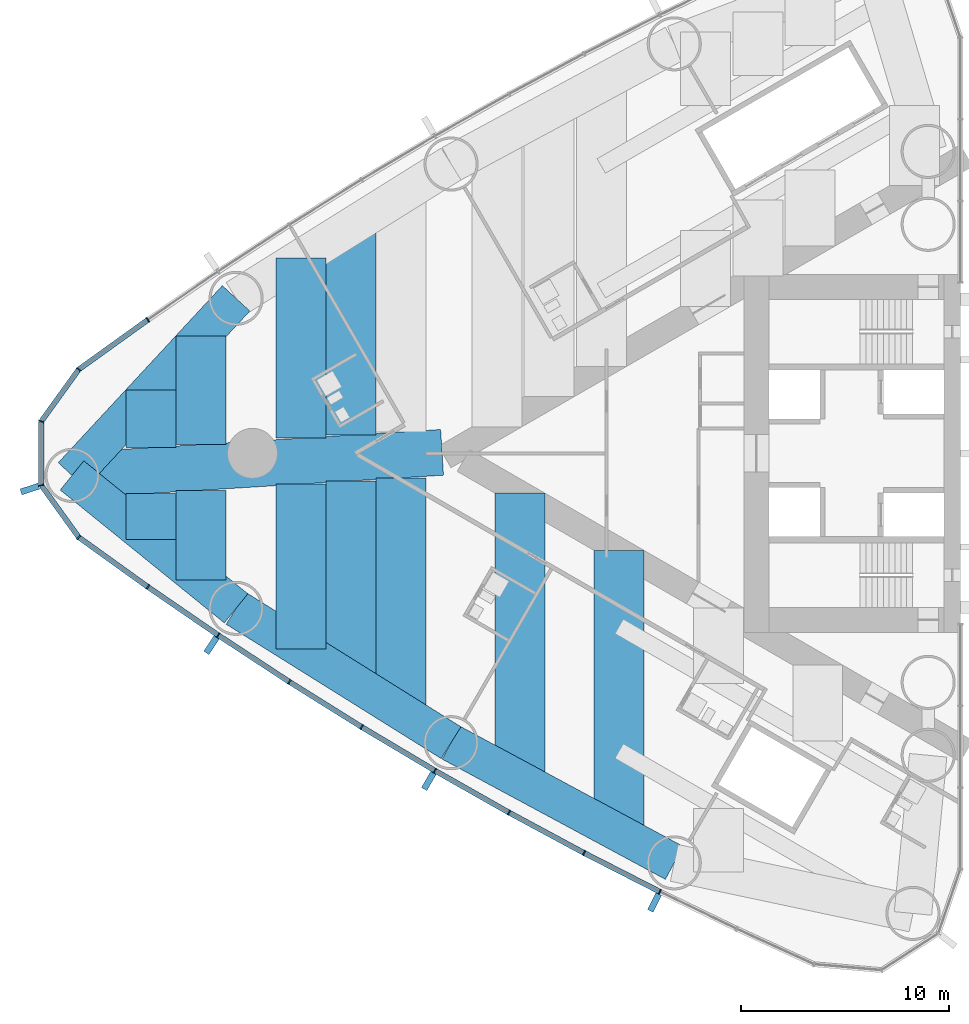
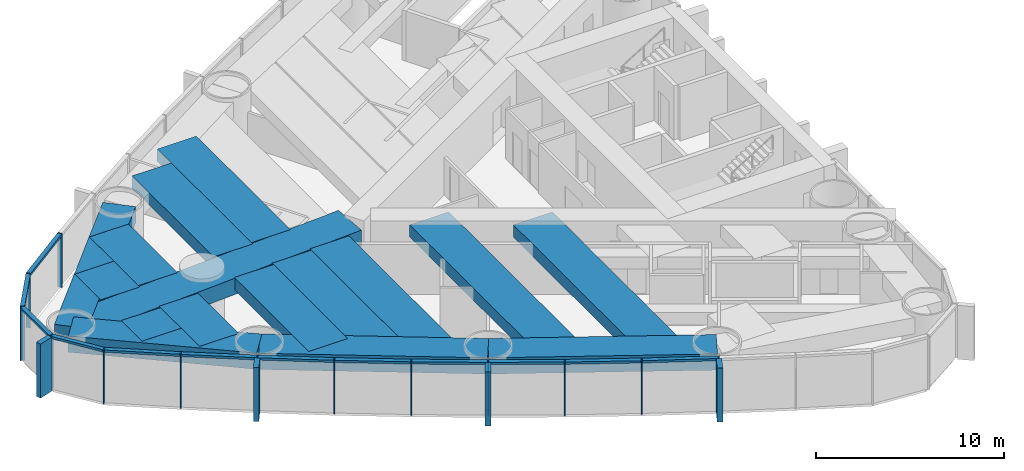
# One storey, part 2 of 18: 29 members, 16 beams, 1 element without a shape of its own.
"""IFC4 building model written with IfcOpenShell, lengths in metres."""

from ifc_helpers import new_model, si_unit, direction, frame, origin, origin_2d, place, context, subcontext, project, spatial, rectangle, extrude, material, material_profile, profile_set, type_object, element, aggregate, save


model = new_model("IFC4")

# Units and contexts
model_context = context("Model", 3, precision=1e-05, world=origin(), true_north=direction((0.0, 1.0)))
body_context = subcontext(model_context, "Body", "Model", "MODEL_VIEW")
ifc_project = project(units=[si_unit("LENGTHUNIT", "METRE"), si_unit("AREAUNIT", "SQUARE_METRE"), si_unit("VOLUMEUNIT", "CUBIC_METRE"), si_unit("PLANEANGLEUNIT", "RADIAN"), si_unit("MASSUNIT", "GRAM", prefix="KILO")], contexts=[model_context])

# Site, building, storey
site_placement = place(None, origin())
site = spatial("IfcSite", under=ifc_project, at=site_placement, CompositionType="ELEMENT")
building_placement = place(site_placement, origin())
building = spatial("IfcBuilding", under=site, at=building_placement, Name="Lancet Gate Hotel", CompositionType="ELEMENT")
storey_placement = place(building_placement, frame((0.0, 0.0, 129.10009765625)))
storey = spatial("IfcBuildingStorey", under=building, at=storey_placement, Name="L34", CompositionType="ELEMENT", Elevation=129.10009765625)

# Curtain wall, members
ifc_material_1 = material(Name="Aluminium curtain wall", Category="aluminium")
curtain_wall_type = type_object("IfcCurtainWallType", Name="Tower unitised curtain wall", PredefinedType="USERDEFINED", material=ifc_material_1)
curtain_wall_placement = place(storey_placement, origin())
curtain_wall = element("IfcCurtainWall", 1, at=curtain_wall_placement, inside=storey, type_object=curtain_wall_type, Name="T1 L34 curtain wall 1", ObjectType="UNITISED CURTAIN WALL", PredefinedType="USERDEFINED")
ifc_material_2 = material(Name="Aluminium mullion", Category="aluminium")
ifc_material_profile_1 = material_profile(ifc_material_2, rectangle(XDim=0.06494140625, YDim=0.25, at=origin_2d()), Name="MULLION 65x250")
ifc_profile_set_1 = profile_set([ifc_material_profile_1], Name="Aluminium mullion")
member_type_1 = type_object("IfcMemberType", Name="Aluminium mullion 65x250", PredefinedType="MULLION", material=ifc_profile_set_1)
member_1_placement = place(storey_placement, frame((-66.5234375, 6.41650390625, 0.0), z_axis=(0.0, 0.0, 1.0), x_axis=(-0.818327221681, -0.574752606132, 0.0)))
member_1 = element("IfcMember", 2, at=member_1_placement, type_object=member_type_1, Name="T1 L34 curtain wall 1 mullion 16", PredefinedType="MULLION", context=body_context, shape_type="SweptSolid", body=[
    extrude(rectangle(XDim=0.06494140625, YDim=0.25, at=origin_2d()), origin(), (0.0, 0.0, 1.0), 3.5),
])
member_2_placement = place(storey_placement, frame((-69.84619140625, 4.02880859375, 0.0), z_axis=(0.0, 0.0, 1.0), x_axis=(-0.723846229576, -0.6899613293, 0.0)))
member_2 = element("IfcMember", 3, at=member_2_placement, type_object=member_type_1, Name="T1 L34 curtain wall 1 mullion 17", PredefinedType="MULLION", context=body_context, shape_type="SweptSolid", body=[
    extrude(rectangle(XDim=0.06494140625, YDim=0.25, at=origin_2d()), origin(), (0.0, 0.0, 1.0), 3.5),
])
member_3_placement = place(storey_placement, frame((-71.64306640625, 1.536376953125, 0.0), z_axis=(0.0, 0.0, 1.0), x_axis=(-0.307269196735, -0.95162263568, 0.0)))
member_3 = element("IfcMember", 4, at=member_3_placement, type_object=member_type_1, Name="T1 L34 curtain wall 1 mullion 18", PredefinedType="MULLION", context=body_context, shape_type="SweptSolid", body=[
    extrude(rectangle(XDim=0.06494140625, YDim=0.25, at=origin_2d()), origin(), (0.0, 0.0, 1.0), 3.5),
])
member_4_placement = place(storey_placement, frame((-71.64306640625, -1.536376953125, 0.0), z_axis=(0.0, 0.0, 1.0), x_axis=(0.307269196735, -0.95162263568, 0.0)))
member_4 = element("IfcMember", 5, at=member_4_placement, type_object=member_type_1, Name="T1 L34 curtain wall 1 mullion 19", PredefinedType="MULLION", context=body_context, shape_type="SweptSolid", body=[
    extrude(rectangle(XDim=0.06494140625, YDim=0.25, at=origin_2d()), origin(), (0.0, 0.0, 1.0), 3.5),
])
member_5_placement = place(storey_placement, frame((-69.84619140625, -4.02880859375, 0.0), z_axis=(0.0, 0.0, 1.0), x_axis=(0.723846229576, -0.6899613293, 0.0)))
member_5 = element("IfcMember", 6, at=member_5_placement, type_object=member_type_1, Name="T1 L34 curtain wall 1 mullion 20", PredefinedType="MULLION", context=body_context, shape_type="SweptSolid", body=[
    extrude(rectangle(XDim=0.06494140625, YDim=0.25, at=origin_2d()), origin(), (0.0, 0.0, 1.0), 3.5),
])
member_6_placement = place(storey_placement, frame((-66.5234375, -6.41650390625, 0.0), z_axis=(0.0, 0.0, 1.0), x_axis=(0.818327221681, -0.574752606132, 0.0)))
member_6 = element("IfcMember", 7, at=member_6_placement, type_object=member_type_1, Name="T1 L34 curtain wall 1 mullion 21", PredefinedType="MULLION", context=body_context, shape_type="SweptSolid", body=[
    extrude(rectangle(XDim=0.06494140625, YDim=0.25, at=origin_2d()), origin(), (0.0, 0.0, 1.0), 3.5),
])
member_7_placement = place(storey_placement, frame((-63.14990234375, -8.73193359375, 0.0), z_axis=(0.0, 0.0, 1.0), x_axis=(0.830510096234, -0.557003572747, 0.0)))
member_7 = element("IfcMember", 8, at=member_7_placement, type_object=member_type_1, Name="T1 L34 curtain wall 1 mullion 22", PredefinedType="MULLION", context=body_context, shape_type="SweptSolid", body=[
    extrude(rectangle(XDim=0.06494140625, YDim=0.25, at=origin_2d()), origin(), (0.0, 0.0, 1.0), 3.5),
])
member_8_placement = place(storey_placement, frame((-59.7275390625, -10.974365234375, 0.0), z_axis=(0.0, 0.0, 1.0), x_axis=(0.84230807036, -0.538996395727, 0.0)))
member_8 = element("IfcMember", 9, at=member_8_placement, type_object=member_type_1, Name="T1 L34 curtain wall 1 mullion 23", PredefinedType="MULLION", context=body_context, shape_type="SweptSolid", body=[
    extrude(rectangle(XDim=0.06494140625, YDim=0.25, at=origin_2d()), origin(), (0.0, 0.0, 1.0), 3.5),
])
member_9_placement = place(storey_placement, frame((-56.257568359375, -13.142333984375, 0.0), z_axis=(0.0, 0.0, 1.0), x_axis=(0.853715676299, -0.52073942048, 0.0)))
member_9 = element("IfcMember", 10, at=member_9_placement, type_object=member_type_1, Name="T1 L34 curtain wall 1 mullion 24", PredefinedType="MULLION", context=body_context, shape_type="SweptSolid", body=[
    extrude(rectangle(XDim=0.06494140625, YDim=0.25, at=origin_2d()), origin(), (0.0, 0.0, 1.0), 3.5),
])
member_10_placement = place(storey_placement, frame((-52.74169921875, -15.2353515625, 0.0), z_axis=(0.0, 0.0, 1.0), x_axis=(0.86472762718, -0.502241108226, 0.0)))
member_10 = element("IfcMember", 11, at=member_10_placement, type_object=member_type_1, Name="T1 L34 curtain wall 1 mullion 25", PredefinedType="MULLION", context=body_context, shape_type="SweptSolid", body=[
    extrude(rectangle(XDim=0.06494140625, YDim=0.25, at=origin_2d()), origin(), (0.0, 0.0, 1.0), 3.5),
])
member_11_placement = place(storey_placement, frame((-49.181640625, -17.252197265625, 0.0), z_axis=(0.0, 0.0, 1.0), x_axis=(0.875338819507, -0.48351003202, 0.0)))
member_11 = element("IfcMember", 12, at=member_11_placement, type_object=member_type_1, Name="T1 L34 curtain wall 1 mullion 26", PredefinedType="MULLION", context=body_context, shape_type="SweptSolid", body=[
    extrude(rectangle(XDim=0.06494140625, YDim=0.25, at=origin_2d()), origin(), (0.0, 0.0, 1.0), 3.5),
])
member_12_placement = place(storey_placement, frame((-45.578857421875, -19.19189453125, 0.0), z_axis=(0.0, 0.0, 1.0), x_axis=(0.885544335517, -0.46455487279, 0.0)))
member_12 = element("IfcMember", 13, at=member_12_placement, type_object=member_type_1, Name="T1 L34 curtain wall 1 mullion 27", PredefinedType="MULLION", context=body_context, shape_type="SweptSolid", body=[
    extrude(rectangle(XDim=0.06494140625, YDim=0.25, at=origin_2d()), origin(), (0.0, 0.0, 1.0), 3.5),
])
member_13_placement = place(storey_placement, frame((-41.935302734375, -21.053466796875, 0.0), z_axis=(0.0, 0.0, 1.0), x_axis=(0.895339445458, -0.445384415317, 0.0)))
member_13 = element("IfcMember", 14, at=member_13_placement, type_object=member_type_1, Name="T1 L34 curtain wall 1 mullion 28", PredefinedType="MULLION", context=body_context, shape_type="SweptSolid", body=[
    extrude(rectangle(XDim=0.06494140625, YDim=0.25, at=origin_2d()), origin(), (0.0, 0.0, 1.0), 3.5),
])
ifc_material_3 = material(Name="Aluminium transom", Category="aluminium")
ifc_material_profile_2 = material_profile(ifc_material_3, rectangle(XDim=0.25, YDim=0.14990234375, at=origin_2d()), Name="TRANSOM 250x150")
ifc_profile_set_2 = profile_set([ifc_material_profile_2], Name="Aluminium transom")
member_type_2 = type_object("IfcMemberType", Name="Aluminium transom 250x150", PredefinedType="USERDEFINED", material=ifc_profile_set_2)
member_14_placement = place(storey_placement, frame((-66.5498046875, 6.3974609375, 3.4248046875), z_axis=(-0.812099770796, -0.583518604908, 0.0), x_axis=(0.583518604908, -0.812099770796, 0.0)))
member_14 = element("IfcMember", 15, at=member_14_placement, type_object=member_type_2, Name="T1 L34 curtain wall 1 transom 16", ObjectType="TRANSOM", PredefinedType="USERDEFINED", context=body_context, shape_type="SweptSolid", body=[
    extrude(rectangle(XDim=0.25, YDim=0.14990234375, at=origin_2d()), origin(), (0.0, 0.0, 1.0), 4.026611328125),
])
member_15_placement = place(storey_placement, frame((-69.865234375, 4.00244140625, 3.4248046875), z_axis=(-0.584787911241, -0.81118622946, 0.0), x_axis=(0.81118622946, -0.584787911241, 0.0)))
member_15 = element("IfcMember", 16, at=member_15_placement, type_object=member_type_2, Name="T1 L34 curtain wall 1 transom 17", ObjectType="TRANSOM", PredefinedType="USERDEFINED", context=body_context, shape_type="SweptSolid", body=[
    extrude(rectangle(XDim=0.25, YDim=0.14990234375, at=origin_2d()), origin(), (0.0, 0.0, 1.0), 3.007568359375),
])
member_16_placement = place(storey_placement, frame((-71.64306640625, 1.50390625, 3.4248046875), z_axis=(0.0, -1.0, 0.0), x_axis=(1.0, 0.0, 0.0)))
member_16 = element("IfcMember", 17, at=member_16_placement, type_object=member_type_2, Name="T1 L34 curtain wall 1 transom 18", ObjectType="TRANSOM", PredefinedType="USERDEFINED", context=body_context, shape_type="SweptSolid", body=[
    extrude(rectangle(XDim=0.25, YDim=0.14990234375, at=origin_2d()), origin(), (0.0, 0.0, 1.0), 3.0078125),
])
member_17_placement = place(storey_placement, frame((-71.6240234375, -1.562744140625, 3.4248046875), z_axis=(0.584787911241, -0.81118622946, 0.0), x_axis=(0.81118622946, 0.584787911241, 0.0)))
member_17 = element("IfcMember", 18, at=member_17_placement, type_object=member_type_2, Name="T1 L34 curtain wall 1 transom 19", ObjectType="TRANSOM", PredefinedType="USERDEFINED", context=body_context, shape_type="SweptSolid", body=[
    extrude(rectangle(XDim=0.25, YDim=0.14990234375, at=origin_2d()), origin(), (0.0, 0.0, 1.0), 3.007568359375),
])
member_18_placement = place(storey_placement, frame((-69.81982421875, -4.0478515625, 3.4248046875), z_axis=(0.812099770796, -0.583518604908, 0.0), x_axis=(0.583518604908, 0.812099770796, 0.0)))
member_18 = element("IfcMember", 19, at=member_18_placement, type_object=member_type_2, Name="T1 L34 curtain wall 1 transom 20", ObjectType="TRANSOM", PredefinedType="USERDEFINED", context=body_context, shape_type="SweptSolid", body=[
    extrude(rectangle(XDim=0.25, YDim=0.14990234375, at=origin_2d()), origin(), (0.0, 0.0, 1.0), 4.026611328125),
])
member_19_placement = place(storey_placement, frame((-66.49658203125, -6.434814453125, 3.4248046875), z_axis=(0.824455665247, -0.565926546508, 0.0), x_axis=(0.565926546508, 0.824455665247, 0.0)))
member_19 = element("IfcMember", 20, at=member_19_placement, type_object=member_type_2, Name="T1 L34 curtain wall 1 transom 21", ObjectType="TRANSOM", PredefinedType="USERDEFINED", context=body_context, shape_type="SweptSolid", body=[
    extrude(rectangle(XDim=0.25, YDim=0.14990234375, at=origin_2d()), origin(), (0.0, 0.0, 1.0), 4.026611328125),
])
member_20_placement = place(storey_placement, frame((-63.122802734375, -8.749755859375, 3.4248046875), z_axis=(0.83645442085, -0.548036496815, 0.0), x_axis=(0.548036496815, 0.83645442085, 0.0)))
member_20 = element("IfcMember", 21, at=member_20_placement, type_object=member_type_2, Name="T1 L34 curtain wall 1 transom 22", ObjectType="TRANSOM", PredefinedType="USERDEFINED", context=body_context, shape_type="SweptSolid", body=[
    extrude(rectangle(XDim=0.25, YDim=0.14990234375, at=origin_2d()), origin(), (0.0, 0.0, 1.0), 4.026611328125),
])
member_21_placement = place(storey_placement, frame((-59.699951171875, -10.991455078125, 3.4248046875), z_axis=(0.848049393821, -0.529917187531, 0.0), x_axis=(0.529917187531, 0.848049393821, 0.0)))
member_21 = element("IfcMember", 22, at=member_21_placement, type_object=member_type_2, Name="T1 L34 curtain wall 1 transom 23", ObjectType="TRANSOM", PredefinedType="USERDEFINED", context=body_context, shape_type="SweptSolid", body=[
    extrude(rectangle(XDim=0.25, YDim=0.14990234375, at=origin_2d()), origin(), (0.0, 0.0, 1.0), 4.026611328125),
])
member_22_placement = place(storey_placement, frame((-56.2294921875, -13.1591796875, 3.4248046875), z_axis=(0.859285270342, -0.511496651186, 0.0), x_axis=(0.511496651186, 0.859285270342, 0.0)))
member_22 = element("IfcMember", 23, at=member_22_placement, type_object=member_type_2, Name="T1 L34 curtain wall 1 transom 24", ObjectType="TRANSOM", PredefinedType="USERDEFINED", context=body_context, shape_type="SweptSolid", body=[
    extrude(rectangle(XDim=0.25, YDim=0.14990234375, at=origin_2d()), origin(), (0.0, 0.0, 1.0), 4.026611328125),
])
member_23_placement = place(storey_placement, frame((-52.71337890625, -15.25146484375, 3.4248046875), z_axis=(0.870091531013, -0.492890178091, 0.0), x_axis=(0.492890178091, 0.870091531013, 0.0)))
member_23 = element("IfcMember", 24, at=member_23_placement, type_object=member_type_2, Name="T1 L34 curtain wall 1 transom 25", ObjectType="TRANSOM", PredefinedType="USERDEFINED", context=body_context, shape_type="SweptSolid", body=[
    extrude(rectangle(XDim=0.25, YDim=0.14990234375, at=origin_2d()), origin(), (0.0, 0.0, 1.0), 4.026611328125),
])
member_24_placement = place(storey_placement, frame((-49.153076171875, -17.267578125, 3.4248046875), z_axis=(0.880498353192, -0.474049206335, 0.0), x_axis=(0.474049206335, 0.880498353192, 0.0)))
member_24 = element("IfcMember", 25, at=member_24_placement, type_object=member_type_2, Name="T1 L34 curtain wall 1 transom 26", ObjectType="TRANSOM", PredefinedType="USERDEFINED", context=body_context, shape_type="SweptSolid", body=[
    extrude(rectangle(XDim=0.25, YDim=0.14990234375, at=origin_2d()), origin(), (0.0, 0.0, 1.0), 4.02685546875),
])
member_25_placement = place(storey_placement, frame((-45.550048828125, -19.20654296875, 3.4248046875), z_axis=(0.89047617483, -0.455029869415, 0.0), x_axis=(0.455029869415, 0.89047617483, 0.0)))
member_25 = element("IfcMember", 26, at=member_25_placement, type_object=member_type_2, Name="T1 L34 curtain wall 1 transom 27", ObjectType="TRANSOM", PredefinedType="USERDEFINED", context=body_context, shape_type="SweptSolid", body=[
    extrude(rectangle(XDim=0.25, YDim=0.14990234375, at=origin_2d()), origin(), (0.0, 0.0, 1.0), 4.026611328125),
])

# Beams
ifc_material_4 = material(Name="Concrete C50/60", Category="concrete")
ifc_material_profile_3 = material_profile(ifc_material_4, rectangle(XDim=1.800048828125, YDim=1.050048828125, at=origin_2d()), Name="RC 1800x1050")
ifc_profile_set_3 = profile_set([ifc_material_profile_3], Name="Concrete C50/60")
beam_type_1 = type_object("IfcBeamType", Name="Edge beam RC 1800x1050", PredefinedType="SPANDREL", material=ifc_profile_set_3)
beam_1_placement = place(storey_placement, frame((-62.28662109375, 7.444580078125, 2.724853515625), z_axis=(-0.679718253794, -0.733473309303, 0.0), x_axis=(0.733473309303, -0.679718253794, 0.0)))
element("IfcBeam", 27, at=beam_1_placement, inside=storey, type_object=beam_type_1, Name="T1 edge beam EB1 L34", PredefinedType="SPANDREL", context=body_context, shape_type="SweptSolid", body=[
    extrude(rectangle(XDim=1.800048828125, YDim=1.050048828125, at=origin_2d()), origin(), (0.0, 0.0, 1.0), 11.594970703125),
])
beam_2_placement = place(storey_placement, frame((-70.16796875, -1.06005859375, 2.724853515625), z_axis=(0.777033503891, -0.629459239213, 0.0), x_axis=(0.629459239213, 0.777033503891, 0.0)))
element("IfcBeam", 28, at=beam_2_placement, inside=storey, type_object=beam_type_1, Name="T1 edge beam EB1 L34", PredefinedType="SPANDREL", context=body_context, shape_type="SweptSolid", body=[
    extrude(rectangle(XDim=1.800048828125, YDim=1.050048828125, at=origin_2d()), origin(), (0.0, 0.0, 1.0), 10.142822265625),
])
for number, where, z_axis, x_axis, name in (
    (29, (-62.28662109375, -7.444580078125, 2.724853515625), (0.848062521637, -0.529896177939, 0.0), (0.529896177939, 0.848062521637, 0.0), "T1 edge beam EB1 L34"),
    (30, (-51.963134765625, -13.89501953125, 2.724853515625), (0.880492350889, -0.474060354835, 0.0), (0.474060354835, 0.880492350889, 0.0), "T1 edge beam EB1 L34"),
):
    element("IfcBeam", number, at=place(storey_placement, frame(where, z_axis=z_axis, x_axis=x_axis)), inside=storey, type_object=beam_type_1, Name=name, PredefinedType="SPANDREL", context=body_context, shape_type="SweptSolid", body=[
        extrude(rectangle(XDim=1.800048828125, YDim=1.050048828125, at=origin_2d()), origin(), (0.0, 0.0, 1.0), 12.173095703125),
    ])

# Member
ifc_material_5 = material(Name="Precast concrete C50/60", Category="concrete")
ifc_material_profile_4 = material_profile(ifc_material_5, rectangle(XDim=0.300048828125, YDim=0.89990234375, at=origin_2d()), Name="FIN 300x900")
ifc_profile_set_4 = profile_set([ifc_material_profile_4], Name="Precast concrete C50/60")
member_type_3 = type_object("IfcMemberType", Name="Exposed concrete fin 300x900", PredefinedType="USERDEFINED", material=ifc_profile_set_4)
member_26_placement = place(storey_placement, frame((-72.190185546875, -1.713134765625, 0.0), z_axis=(0.0, 0.0, 1.0), x_axis=(0.307269196735, -0.95162263568, 0.0)))
member_26 = element("IfcMember", 31, at=member_26_placement, type_object=member_type_3, Name="T1 L34 curtain wall 1 fin 19", ObjectType="FIN", PredefinedType="USERDEFINED", context=body_context, shape_type="SweptSolid", body=[
    extrude(rectangle(XDim=0.300048828125, YDim=0.89990234375, at=origin_2d()), origin(), (0.0, 0.0, 1.0), 3.5),
])

member_27_placement = place(storey_placement, frame((-63.47021484375, -9.20947265625, 0.0), z_axis=(0.0, 0.0, 1.0), x_axis=(0.830510096234, -0.557003572747, 0.0)))
member_27 = element("IfcMember", 32, at=member_27_placement, type_object=member_type_3, Name="T1 L34 curtain wall 1 fin 22", ObjectType="FIN", PredefinedType="USERDEFINED", context=body_context, shape_type="SweptSolid", body=[
    extrude(rectangle(XDim=0.300048828125, YDim=0.89990234375, at=origin_2d()), origin(), (0.0, 0.0, 1.0), 3.5),
])

member_28_placement = place(storey_placement, frame((-53.030517578125, -15.732666015625, 0.0), z_axis=(0.0, 0.0, 1.0), x_axis=(0.86472762718, -0.502241108226, 0.0)))
member_28 = element("IfcMember", 33, at=member_28_placement, type_object=member_type_3, Name="T1 L34 curtain wall 1 fin 25", ObjectType="FIN", PredefinedType="USERDEFINED", context=body_context, shape_type="SweptSolid", body=[
    extrude(rectangle(XDim=0.300048828125, YDim=0.89990234375, at=origin_2d()), origin(), (0.0, 0.0, 1.0), 3.5),
])

member_29_placement = place(storey_placement, frame((-42.19140625, -21.568359375, 0.0), z_axis=(0.0, 0.0, 1.0), x_axis=(0.895339445458, -0.445384415317, 0.0)))
member_29 = element("IfcMember", 34, at=member_29_placement, type_object=member_type_3, Name="T1 L34 curtain wall 1 fin 28", ObjectType="FIN", PredefinedType="USERDEFINED", context=body_context, shape_type="SweptSolid", body=[
    extrude(rectangle(XDim=0.300048828125, YDim=0.89990234375, at=origin_2d()), origin(), (0.0, 0.0, 1.0), 3.5),
])

aggregate(curtain_wall, [member_1, member_2, member_3, member_4, member_26, member_5, member_6, member_7, member_27, member_8, member_9, member_10, member_28, member_11, member_12, member_13, member_29, member_14, member_15, member_16, member_17, member_18, member_19, member_20, member_21, member_22, member_23, member_24, member_25])

# Beams
ifc_material_6 = material(Name="Concrete C50/60", Category="concrete")
ifc_material_profile_5 = material_profile(ifc_material_6, rectangle(XDim=2.39990234375, YDim=0.800048828125, at=origin_2d()), Name="RC 2400x800")
ifc_profile_set_5 = profile_set([ifc_material_profile_5], Name="Concrete C50/60")
beam_type_2 = type_object("IfcBeamType", Name="Floor beam RC 2400x800", PredefinedType="BEAM", material=ifc_profile_set_5)
beam_3_placement = place(storey_placement, frame((-43.891357421875, -4.663330078125, 2.849853515625), z_axis=(0.0, -1.0, 0.0), x_axis=(1.0, 0.0, 0.0)))
element("IfcBeam", 35, at=beam_3_placement, inside=storey, type_object=beam_type_2, Name="T1 floor beam F08N L34", PredefinedType="BEAM", context=body_context, shape_type="SweptSolid", body=[
    extrude(rectangle(XDim=2.39990234375, YDim=0.800048828125, at=origin_2d()), origin(), (0.0, 0.0, 1.0), 13.57763671875),
])
beam_4_placement = place(storey_placement, frame((-48.66015625, -1.909912109375, 2.849853515625), z_axis=(0.0, -1.0, 0.0), x_axis=(1.0, 0.0, 0.0)))
element("IfcBeam", 36, at=beam_4_placement, inside=storey, type_object=beam_type_2, Name="T1 floor beam F11N L34", PredefinedType="BEAM", context=body_context, shape_type="SweptSolid", body=[
    extrude(rectangle(XDim=2.39990234375, YDim=0.800048828125, at=origin_2d()), origin(), (0.0, 0.0, 1.0), 13.763427734375),
])
beam_5_placement = place(storey_placement, frame((-54.3681640625, -1.177001953125, 2.849853515625), z_axis=(0.0, -1.0, 0.0), x_axis=(1.0, 0.0, 0.0)))
element("IfcBeam", 37, at=beam_5_placement, inside=storey, type_object=beam_type_2, Name="T1 floor beam F14N L34", PredefinedType="BEAM", context=body_context, shape_type="SweptSolid", body=[
    extrude(rectangle(XDim=2.39990234375, YDim=0.800048828125, at=origin_2d()), origin(), (0.0, 0.0, 1.0), 11.21533203125),
])
beam_6_placement = place(storey_placement, frame((-56.768310546875, 10.892578125, 2.849853515625), z_axis=(0.0, -1.0, 0.0), x_axis=(1.0, 0.0, 0.0)))
element("IfcBeam", 38, at=beam_6_placement, inside=storey, type_object=beam_type_2, Name="T1 floor beam F15S L34", PredefinedType="BEAM", context=body_context, shape_type="SweptSolid", body=[
    extrude(rectangle(XDim=2.39990234375, YDim=0.800048828125, at=origin_2d()), origin(), (0.0, 0.0, 1.0), 10.014892578125),
])
beam_7_placement = place(storey_placement, frame((-56.768310546875, -1.32666015625, 2.849853515625), z_axis=(0.0, -1.0, 0.0), x_axis=(1.0, 0.0, 0.0)))
element("IfcBeam", 39, at=beam_7_placement, inside=storey, type_object=beam_type_2, Name="T1 floor beam F16N L34", PredefinedType="BEAM", context=body_context, shape_type="SweptSolid", body=[
    extrude(rectangle(XDim=2.39990234375, YDim=0.800048828125, at=origin_2d()), origin(), (0.0, 0.0, 1.0), 9.56591796875),
])
beam_8_placement = place(storey_placement, frame((-59.168212890625, 9.39306640625, 2.849853515625), z_axis=(0.0, -1.0, 0.0), x_axis=(1.0, 0.0, 0.0)))
element("IfcBeam", 40, at=beam_8_placement, inside=storey, type_object=beam_type_2, Name="T1 floor beam F17S L34", PredefinedType="BEAM", context=body_context, shape_type="SweptSolid", body=[
    extrude(rectangle(XDim=2.39990234375, YDim=0.800048828125, at=origin_2d()), origin(), (0.0, 0.0, 1.0), 8.6650390625),
])
beam_9_placement = place(storey_placement, frame((-59.168212890625, -1.476318359375, 2.849853515625), z_axis=(0.0, -1.0, 0.0), x_axis=(1.0, 0.0, 0.0)))
element("IfcBeam", 41, at=beam_9_placement, inside=storey, type_object=beam_type_2, Name="T1 floor beam F18N L34", PredefinedType="BEAM", context=body_context, shape_type="SweptSolid", body=[
    extrude(rectangle(XDim=2.39990234375, YDim=0.800048828125, at=origin_2d()), origin(), (0.0, 0.0, 1.0), 7.916748046875),
])
beam_10_placement = place(storey_placement, frame((-63.96826171875, 5.6298828125, 2.849853515625), z_axis=(0.0, -1.0, 0.0), x_axis=(1.0, 0.0, 0.0)))
element("IfcBeam", 42, at=beam_10_placement, inside=storey, type_object=beam_type_2, Name="T1 floor beam F19S L34", PredefinedType="BEAM", context=body_context, shape_type="SweptSolid", body=[
    extrude(rectangle(XDim=2.39990234375, YDim=0.800048828125, at=origin_2d()), origin(), (0.0, 0.0, 1.0), 5.201171875),
])
beam_11_placement = place(storey_placement, frame((-63.96826171875, -1.775634765625, 2.849853515625), z_axis=(0.0, -1.0, 0.0), x_axis=(1.0, 0.0, 0.0)))
element("IfcBeam", 43, at=beam_11_placement, inside=storey, type_object=beam_type_2, Name="T1 floor beam F20N L34", PredefinedType="BEAM", context=body_context, shape_type="SweptSolid", body=[
    extrude(rectangle(XDim=2.39990234375, YDim=0.800048828125, at=origin_2d()), origin(), (0.0, 0.0, 1.0), 4.306640625),
])
beam_12_placement = place(storey_placement, frame((-66.3681640625, 3.040283203125, 2.849853515625), z_axis=(0.0, -1.0, 0.0), x_axis=(1.0, 0.0, 0.0)))
element("IfcBeam", 44, at=beam_12_placement, inside=storey, type_object=beam_type_2, Name="T1 floor beam F21S L34", PredefinedType="BEAM", context=body_context, shape_type="SweptSolid", body=[
    extrude(rectangle(XDim=2.39990234375, YDim=0.800048828125, at=origin_2d()), origin(), (0.0, 0.0, 1.0), 2.76123046875),
])
beam_13_placement = place(storey_placement, frame((-66.3681640625, -1.92529296875, 2.849853515625), z_axis=(0.0, -1.0, 0.0), x_axis=(1.0, 0.0, 0.0)))
element("IfcBeam", 45, at=beam_13_placement, inside=storey, type_object=beam_type_2, Name="T1 floor beam F22N L34", PredefinedType="BEAM", context=body_context, shape_type="SweptSolid", body=[
    extrude(rectangle(XDim=2.39990234375, YDim=0.800048828125, at=origin_2d()), origin(), (0.0, 0.0, 1.0), 2.212890625),
])
ifc_material_7 = material(Name="Concrete C50/60", Category="concrete")
ifc_material_profile_6 = material_profile(ifc_material_7, rectangle(XDim=2.199951171875, YDim=1.050048828125, at=origin_2d()), Name="RC 2200x1050")
ifc_profile_set_6 = profile_set([ifc_material_profile_6], Name="Concrete C50/60")
beam_type_3 = type_object("IfcBeamType", Name="Radial floor beam RC 2200x1050", PredefinedType="BEAM", material=ifc_profile_set_6)
beam_14_placement = place(storey_placement, frame((-70.16796875, -1.06005859375, 2.724853515625), z_axis=(0.998061637313, 0.062233175423, 0.0), x_axis=(-0.062233175423, 0.998061637313, 0.0)))
element("IfcBeam", 46, at=beam_14_placement, inside=storey, type_object=beam_type_3, Name="T1 radial beam CA L34", PredefinedType="BEAM", context=body_context, shape_type="SweptSolid", body=[
    extrude(rectangle(XDim=2.199951171875, YDim=1.050048828125, at=origin_2d()), origin(), (0.0, 0.0, 1.0), 17.806396484375),
])

save(model, "model.ifc")
